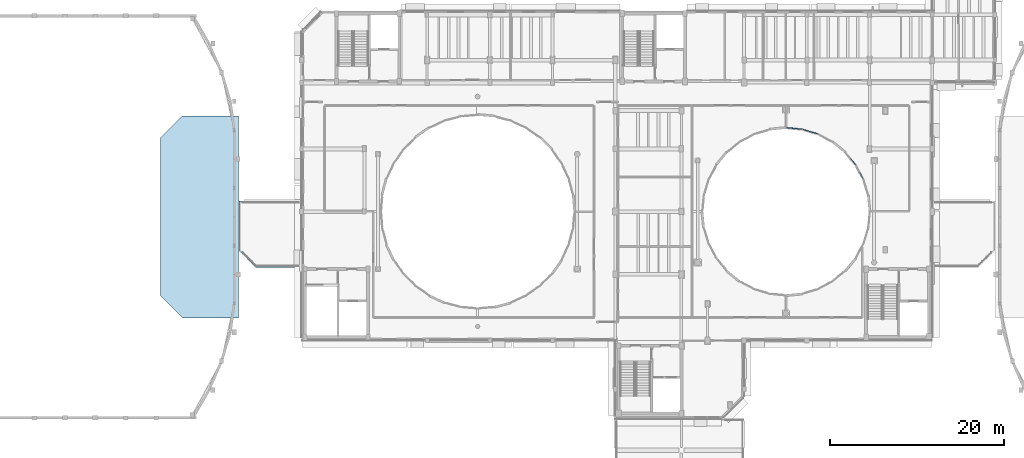
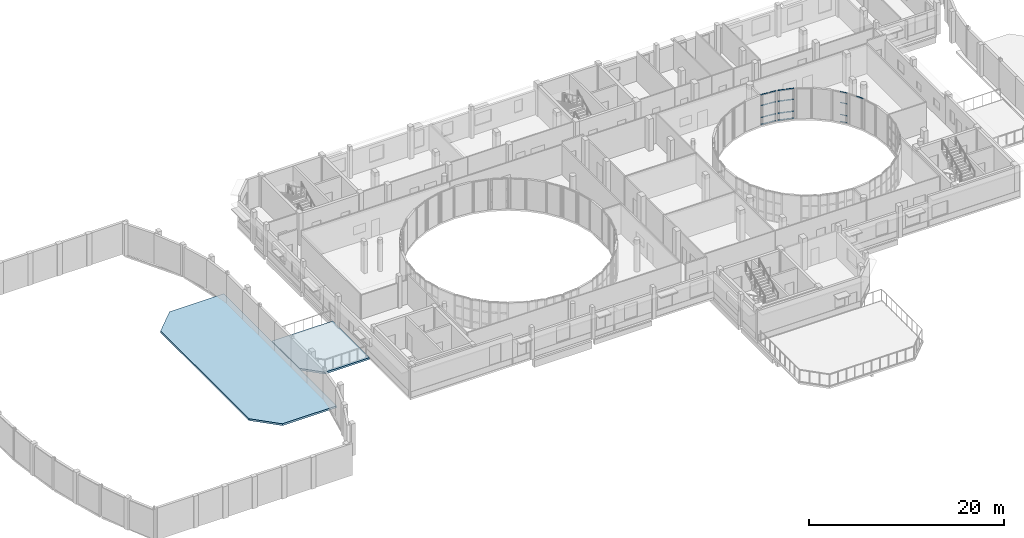
# One storey, part 54 of 89: 21 members, 2 slabs, 4 elements without a shape of their own.
"""IFC4 building model written with IfcOpenShell, lengths in metres."""

from ifc_helpers import new_model, si_unit, direction, frame, origin, origin_2d, place, context, subcontext, project, spatial, polyline, hollow_rectangle, outline, extrude, material, layer, layer_set, material_profile, profile_set, type_object, element, aggregate, save


model = new_model("IFC4")

# Units and contexts
model_context = context("Model", 3, precision=1e-05, world=origin(), true_north=direction((0.0, 1.0)))
body_context = subcontext(model_context, "Body", "Model", "MODEL_VIEW")
ifc_project = project(units=[si_unit("LENGTHUNIT", "METRE"), si_unit("AREAUNIT", "SQUARE_METRE"), si_unit("VOLUMEUNIT", "CUBIC_METRE"), si_unit("PLANEANGLEUNIT", "RADIAN"), si_unit("MASSUNIT", "GRAM", prefix="KILO")], contexts=[model_context])

# Site, building, storey
site_placement = place(None, origin())
site = spatial("IfcSite", under=ifc_project, at=site_placement, CompositionType="ELEMENT")
building_placement = place(site_placement, origin())
building = spatial("IfcBuilding", under=site, at=building_placement, Name="Kelanivale Promenade Academy", CompositionType="ELEMENT")
storey_placement = place(building_placement, frame((0.0, 0.0, 12.199951171875)))
storey = spatial("IfcBuildingStorey", under=building, at=storey_placement, Name="L03", CompositionType="ELEMENT", Elevation=12.199951171875)

# Curtain wall, members
ifc_material_1 = material(Name="Bronze anodised aluminium and solar-control low-E glass", Category="aluminium")
ifc_layer_1 = layer(ifc_material_1, 0.169921875)
ifc_layer_set_1 = layer_set([ifc_layer_1], Name="Bronze anodised aluminium and solar-control low-E glass")
curtain_wall_type_1 = type_object("IfcCurtainWallType", Name="CW-13 Curtain Wall 1350mm Module", PredefinedType="USERDEFINED", material=ifc_layer_set_1)
curtain_wall_1_placement = place(storey_placement, origin())
curtain_wall_1 = element("IfcCurtainWall", 1, at=curtain_wall_1_placement, inside=storey, type_object=curtain_wall_type_1, Name="L03 courtyard curtain wall CW-13", ObjectType="COURTYARD SCREEN GLAZING", PredefinedType="USERDEFINED")
ifc_material_2 = material(Name="Bronze anodised aluminium EN AW-6063 T6", Category="aluminium")
ifc_material_profile_1 = material_profile(ifc_material_2, hollow_rectangle(XDim=0.050048828125, YDim=0.10009765625, WallThickness=0.0029296875, at=origin_2d()), Name="ALU 50x100x3.0")
ifc_profile_set_1 = profile_set([ifc_material_profile_1], Name="Bronze anodised aluminium EN AW-6063 T6")
member_type_1 = type_object("IfcMemberType", Name="CWT-01 ALU 50x100x3.0", PredefinedType="USERDEFINED", material=ifc_profile_set_1)
member_1_placement = place(storey_placement, frame((106.76904296875, 62.21337890625, 0.025146484375), z_axis=(-0.634114614295, 0.773239067778, 0.0), x_axis=(-0.773239067778, -0.634114614295, 0.0)))
member_1 = element("IfcMember", 2, at=member_1_placement, type_object=member_type_1, Name="CW-13 transom 1.1", ObjectType="TRANSOM", PredefinedType="USERDEFINED", context=body_context, shape_type="SweptSolid", body=[
    extrude(hollow_rectangle(XDim=0.050048828125, YDim=0.10009765625, WallThickness=0.0029296875, at=origin_2d()), origin(), (0.0, 0.0, 1.0), 0.83349609375),
])
member_2_placement = place(storey_placement, frame((106.76904296875, 62.21337890625, 0.900146484375), z_axis=(-0.634114614295, 0.773239067778, 0.0), x_axis=(-0.773239067778, -0.634114614295, 0.0)))
member_2 = element("IfcMember", 3, at=member_2_placement, type_object=member_type_1, Name="CW-13 transom 1.2", ObjectType="TRANSOM", PredefinedType="USERDEFINED", context=body_context, shape_type="SweptSolid", body=[
    extrude(hollow_rectangle(XDim=0.050048828125, YDim=0.10009765625, WallThickness=0.0029296875, at=origin_2d()), origin(), (0.0, 0.0, 1.0), 0.83349609375),
])
member_3_placement = place(storey_placement, frame((106.76904296875, 62.21337890625, 2.400146484375), z_axis=(-0.634114614295, 0.773239067778, 0.0), x_axis=(-0.773239067778, -0.634114614295, 0.0)))
member_3 = element("IfcMember", 4, at=member_3_placement, type_object=member_type_1, Name="CW-13 transom 1.3", ObjectType="TRANSOM", PredefinedType="USERDEFINED", context=body_context, shape_type="SweptSolid", body=[
    extrude(hollow_rectangle(XDim=0.050048828125, YDim=0.10009765625, WallThickness=0.0029296875, at=origin_2d()), origin(), (0.0, 0.0, 1.0), 0.83349609375),
])
member_4_placement = place(storey_placement, frame((106.76904296875, 62.21337890625, 3.755126953125), z_axis=(-0.634114614295, 0.773239067778, 0.0), x_axis=(-0.773239067778, -0.634114614295, 0.0)))
member_4 = element("IfcMember", 5, at=member_4_placement, type_object=member_type_1, Name="CW-13 transom 1.4", ObjectType="TRANSOM", PredefinedType="USERDEFINED", context=body_context, shape_type="SweptSolid", body=[
    extrude(hollow_rectangle(XDim=0.050048828125, YDim=0.10009765625, WallThickness=0.0029296875, at=origin_2d()), origin(), (0.0, 0.0, 1.0), 0.83349609375),
])
aggregate(curtain_wall_1, [member_1, member_2, member_3, member_4])

ifc_layer_2 = layer(ifc_material_1, 0.159912109375)
ifc_layer_set_2 = layer_set([ifc_layer_2], Name="Bronze anodised aluminium and solar-control low-E glass")
curtain_wall_type_2 = type_object("IfcCurtainWallType", Name="CW-15 Curtain Wall 1650mm Module", PredefinedType="USERDEFINED", material=ifc_layer_set_2)
curtain_wall_2_placement = place(storey_placement, origin())
curtain_wall_2 = element("IfcCurtainWall", 6, at=curtain_wall_2_placement, inside=storey, type_object=curtain_wall_type_2, Name="L03 courtyard curtain wall CW-15", ObjectType="COURTYARD SCREEN GLAZING", PredefinedType="USERDEFINED")
ifc_material_profile_2 = material_profile(ifc_material_2, hollow_rectangle(XDim=0.050048828125, YDim=0.14990234375, WallThickness=0.00341796875, at=origin_2d()), Name="ALU 50x150x3.5")
ifc_profile_set_2 = profile_set([ifc_material_profile_2], Name="Bronze anodised aluminium EN AW-6063 T6")
member_type_2 = type_object("IfcMemberType", Name="CWT-03 ALU 50x150x3.5", PredefinedType="USERDEFINED", material=ifc_profile_set_2)
member_5_placement = place(storey_placement, frame((102.413818359375, 65.729736328125, 0.025146484375), z_axis=(-0.956943070855, 0.290275660611, 0.0), x_axis=(-0.290275660611, -0.956943070855, 0.0)))
member_5 = element("IfcMember", 7, at=member_5_placement, type_object=member_type_2, Name="CW-15 transom 1.1", ObjectType="TRANSOM", PredefinedType="USERDEFINED", context=body_context, shape_type="SweptSolid", body=[
    extrude(hollow_rectangle(XDim=0.050048828125, YDim=0.14990234375, WallThickness=0.00341796875, at=origin_2d()), origin(), (0.0, 0.0, 1.0), 0.83349609375),
])
member_6_placement = place(storey_placement, frame((102.413818359375, 65.729736328125, 0.900146484375), z_axis=(-0.956943070855, 0.290275660611, 0.0), x_axis=(-0.290275660611, -0.956943070855, 0.0)))
member_6 = element("IfcMember", 8, at=member_6_placement, type_object=member_type_2, Name="CW-15 transom 1.2", ObjectType="TRANSOM", PredefinedType="USERDEFINED", context=body_context, shape_type="SweptSolid", body=[
    extrude(hollow_rectangle(XDim=0.050048828125, YDim=0.14990234375, WallThickness=0.00341796875, at=origin_2d()), origin(), (0.0, 0.0, 1.0), 0.83349609375),
])
member_7_placement = place(storey_placement, frame((102.413818359375, 65.729736328125, 2.400146484375), z_axis=(-0.956943070855, 0.290275660611, 0.0), x_axis=(-0.290275660611, -0.956943070855, 0.0)))
member_7 = element("IfcMember", 9, at=member_7_placement, type_object=member_type_2, Name="CW-15 transom 1.3", ObjectType="TRANSOM", PredefinedType="USERDEFINED", context=body_context, shape_type="SweptSolid", body=[
    extrude(hollow_rectangle(XDim=0.050048828125, YDim=0.14990234375, WallThickness=0.00341796875, at=origin_2d()), origin(), (0.0, 0.0, 1.0), 0.83349609375),
])
member_8_placement = place(storey_placement, frame((102.413818359375, 65.729736328125, 3.755126953125), z_axis=(-0.956943070855, 0.290275660611, 0.0), x_axis=(-0.290275660611, -0.956943070855, 0.0)))
member_8 = element("IfcMember", 10, at=member_8_placement, type_object=member_type_2, Name="CW-15 transom 1.4", ObjectType="TRANSOM", PredefinedType="USERDEFINED", context=body_context, shape_type="SweptSolid", body=[
    extrude(hollow_rectangle(XDim=0.050048828125, YDim=0.14990234375, WallThickness=0.00341796875, at=origin_2d()), origin(), (0.0, 0.0, 1.0), 0.83349609375),
])
member_9_placement = place(storey_placement, frame((101.553955078125, 65.990478515625, 0.025146484375), z_axis=(-0.957049031315, 0.289926114138, 0.0), x_axis=(-0.289926114138, -0.957049031315, 0.0)))
member_9 = element("IfcMember", 11, at=member_9_placement, type_object=member_type_2, Name="CW-15 transom 2.1", ObjectType="TRANSOM", PredefinedType="USERDEFINED", context=body_context, shape_type="SweptSolid", body=[
    extrude(hollow_rectangle(XDim=0.050048828125, YDim=0.14990234375, WallThickness=0.00341796875, at=origin_2d()), origin(), (0.0, 0.0, 1.0), 0.833740234375),
])
member_10_placement = place(storey_placement, frame((101.553955078125, 65.990478515625, 0.900146484375), z_axis=(-0.957049031315, 0.289926114138, 0.0), x_axis=(-0.289926114138, -0.957049031315, 0.0)))
member_10 = element("IfcMember", 12, at=member_10_placement, type_object=member_type_2, Name="CW-15 transom 2.2", ObjectType="TRANSOM", PredefinedType="USERDEFINED", context=body_context, shape_type="SweptSolid", body=[
    extrude(hollow_rectangle(XDim=0.050048828125, YDim=0.14990234375, WallThickness=0.00341796875, at=origin_2d()), origin(), (0.0, 0.0, 1.0), 0.833740234375),
])
member_11_placement = place(storey_placement, frame((101.553955078125, 65.990478515625, 2.400146484375), z_axis=(-0.957049031315, 0.289926114138, 0.0), x_axis=(-0.289926114138, -0.957049031315, 0.0)))
member_11 = element("IfcMember", 13, at=member_11_placement, type_object=member_type_2, Name="CW-15 transom 2.3", ObjectType="TRANSOM", PredefinedType="USERDEFINED", context=body_context, shape_type="SweptSolid", body=[
    extrude(hollow_rectangle(XDim=0.050048828125, YDim=0.14990234375, WallThickness=0.00341796875, at=origin_2d()), origin(), (0.0, 0.0, 1.0), 0.833740234375),
])
member_12_placement = place(storey_placement, frame((101.553955078125, 65.990478515625, 3.755126953125), z_axis=(-0.957049031315, 0.289926114138, 0.0), x_axis=(-0.289926114138, -0.957049031315, 0.0)))
member_12 = element("IfcMember", 14, at=member_12_placement, type_object=member_type_2, Name="CW-15 transom 2.4", ObjectType="TRANSOM", PredefinedType="USERDEFINED", context=body_context, shape_type="SweptSolid", body=[
    extrude(hollow_rectangle(XDim=0.050048828125, YDim=0.14990234375, WallThickness=0.00341796875, at=origin_2d()), origin(), (0.0, 0.0, 1.0), 0.833740234375),
])
aggregate(curtain_wall_2, [member_5, member_6, member_7, member_8, member_9, member_10, member_11, member_12])

# Curtain wall, member
ifc_layer_3 = layer(ifc_material_1, 0.159912109375)
ifc_layer_set_3 = layer_set([ifc_layer_3], Name="Bronze anodised aluminium and solar-control low-E glass")
curtain_wall_type_3 = type_object("IfcCurtainWallType", Name="CW-12 Curtain Wall 1200mm Module", PredefinedType="USERDEFINED", material=ifc_layer_set_3)
curtain_wall_3_placement = place(storey_placement, origin())
curtain_wall_3 = element("IfcCurtainWall", 15, at=curtain_wall_3_placement, inside=storey, type_object=curtain_wall_type_3, Name="L03 courtyard curtain wall CW-12", ObjectType="UNITISED GLAZING", PredefinedType="USERDEFINED")
ifc_material_profile_3 = material_profile(ifc_material_2, hollow_rectangle(XDim=0.06005859375, YDim=0.139892578125, WallThickness=0.00341796875, at=origin_2d()), Name="ALU 60x140x3.5")
ifc_profile_set_3 = profile_set([ifc_material_profile_3], Name="Bronze anodised aluminium EN AW-6063 T6")
member_type_3 = type_object("IfcMemberType", Name="CWT-04 ALU 60x140x3.5", PredefinedType="USERDEFINED", material=ifc_profile_set_3)
member_13_placement = place(storey_placement, frame((107.66943359375, 60.558349609375, 3.75), z_axis=(-0.471286980873, 0.881979921347, 0.0), x_axis=(-0.881979921347, -0.471286980873, 0.0)))
member_13 = element("IfcMember", 16, at=member_13_placement, type_object=member_type_3, Name="CW-12 transom 1.4", ObjectType="TRANSOM", PredefinedType="USERDEFINED", context=body_context, shape_type="SweptSolid", body=[
    extrude(hollow_rectangle(XDim=0.06005859375, YDim=0.139892578125, WallThickness=0.00341796875, at=origin_2d()), origin(), (0.0, 0.0, 1.0), 0.833984375),
])
aggregate(curtain_wall_3, [member_13])

# Curtain wall, members
ifc_layer_4 = layer(ifc_material_1, 0.169921875)
ifc_layer_set_4 = layer_set([ifc_layer_4], Name="Bronze anodised aluminium and solar-control low-E glass")
curtain_wall_type_4 = type_object("IfcCurtainWallType", Name="CW-16 Curtain Wall 1800mm Module", PredefinedType="USERDEFINED", material=ifc_layer_set_4)
curtain_wall_4_placement = place(storey_placement, origin())
curtain_wall_4 = element("IfcCurtainWall", 17, at=curtain_wall_4_placement, inside=storey, type_object=curtain_wall_type_4, Name="L03 courtyard curtain wall CW-16", ObjectType="COURTYARD SCREEN GLAZING", PredefinedType="USERDEFINED")
member_14_placement = place(storey_placement, frame((100.602294921875, 66.262451171875, 0.030029296875), z_axis=(-0.995144874966, 0.0984209217, 0.0), x_axis=(-0.0984209217, -0.995144874966, 0.0)))
member_14 = element("IfcMember", 18, at=member_14_placement, type_object=member_type_3, Name="CW-16 transom 1.1", ObjectType="TRANSOM", PredefinedType="USERDEFINED", context=body_context, shape_type="SweptSolid", body=[
    extrude(hollow_rectangle(XDim=0.06005859375, YDim=0.139892578125, WallThickness=0.00341796875, at=origin_2d()), origin(), (0.0, 0.0, 1.0), 0.825927734375),
])
member_15_placement = place(storey_placement, frame((100.602294921875, 66.262451171875, 0.900146484375), z_axis=(-0.995144874966, 0.0984209217, 0.0), x_axis=(-0.0984209217, -0.995144874966, 0.0)))
member_15 = element("IfcMember", 19, at=member_15_placement, type_object=member_type_3, Name="CW-16 transom 1.2", ObjectType="TRANSOM", PredefinedType="USERDEFINED", context=body_context, shape_type="SweptSolid", body=[
    extrude(hollow_rectangle(XDim=0.06005859375, YDim=0.139892578125, WallThickness=0.00341796875, at=origin_2d()), origin(), (0.0, 0.0, 1.0), 0.825927734375),
])
member_16_placement = place(storey_placement, frame((100.602294921875, 66.262451171875, 2.400146484375), z_axis=(-0.995144874966, 0.0984209217, 0.0), x_axis=(-0.0984209217, -0.995144874966, 0.0)))
member_16 = element("IfcMember", 20, at=member_16_placement, type_object=member_type_3, Name="CW-16 transom 1.3", ObjectType="TRANSOM", PredefinedType="USERDEFINED", context=body_context, shape_type="SweptSolid", body=[
    extrude(hollow_rectangle(XDim=0.06005859375, YDim=0.139892578125, WallThickness=0.00341796875, at=origin_2d()), origin(), (0.0, 0.0, 1.0), 0.825927734375),
])
member_17_placement = place(storey_placement, frame((100.602294921875, 66.262451171875, 3.75), z_axis=(-0.995144874966, 0.0984209217, 0.0), x_axis=(-0.0984209217, -0.995144874966, 0.0)))
member_17 = element("IfcMember", 21, at=member_17_placement, type_object=member_type_3, Name="CW-16 transom 1.4", ObjectType="TRANSOM", PredefinedType="USERDEFINED", context=body_context, shape_type="SweptSolid", body=[
    extrude(hollow_rectangle(XDim=0.06005859375, YDim=0.139892578125, WallThickness=0.00341796875, at=origin_2d()), origin(), (0.0, 0.0, 1.0), 0.825927734375),
])
member_18_placement = place(storey_placement, frame((99.715576171875, 66.35009765625, 0.030029296875), z_axis=(-0.995113003658, 0.098742645045, 0.0), x_axis=(-0.098742645045, -0.995113003658, 0.0)))
member_18 = element("IfcMember", 22, at=member_18_placement, type_object=member_type_3, Name="CW-16 transom 2.1", ObjectType="TRANSOM", PredefinedType="USERDEFINED", context=body_context, shape_type="SweptSolid", body=[
    extrude(hollow_rectangle(XDim=0.06005859375, YDim=0.139892578125, WallThickness=0.00341796875, at=origin_2d()), origin(), (0.0, 0.0, 1.0), 0.825927734375),
])
member_19_placement = place(storey_placement, frame((99.715576171875, 66.35009765625, 0.900146484375), z_axis=(-0.995113003658, 0.098742645045, 0.0), x_axis=(-0.098742645045, -0.995113003658, 0.0)))
member_19 = element("IfcMember", 23, at=member_19_placement, type_object=member_type_3, Name="CW-16 transom 2.2", ObjectType="TRANSOM", PredefinedType="USERDEFINED", context=body_context, shape_type="SweptSolid", body=[
    extrude(hollow_rectangle(XDim=0.06005859375, YDim=0.139892578125, WallThickness=0.00341796875, at=origin_2d()), origin(), (0.0, 0.0, 1.0), 0.825927734375),
])
member_20_placement = place(storey_placement, frame((99.715576171875, 66.35009765625, 2.400146484375), z_axis=(-0.995113003658, 0.098742645045, 0.0), x_axis=(-0.098742645045, -0.995113003658, 0.0)))
member_20 = element("IfcMember", 24, at=member_20_placement, type_object=member_type_3, Name="CW-16 transom 2.3", ObjectType="TRANSOM", PredefinedType="USERDEFINED", context=body_context, shape_type="SweptSolid", body=[
    extrude(hollow_rectangle(XDim=0.06005859375, YDim=0.139892578125, WallThickness=0.00341796875, at=origin_2d()), origin(), (0.0, 0.0, 1.0), 0.825927734375),
])
member_21_placement = place(storey_placement, frame((99.715576171875, 66.35009765625, 3.75), z_axis=(-0.995113003658, 0.098742645045, 0.0), x_axis=(-0.098742645045, -0.995113003658, 0.0)))
member_21 = element("IfcMember", 25, at=member_21_placement, type_object=member_type_3, Name="CW-16 transom 2.4", ObjectType="TRANSOM", PredefinedType="USERDEFINED", context=body_context, shape_type="SweptSolid", body=[
    extrude(hollow_rectangle(XDim=0.06005859375, YDim=0.139892578125, WallThickness=0.00341796875, at=origin_2d()), origin(), (0.0, 0.0, 1.0), 0.825927734375),
])
aggregate(curtain_wall_4, [member_14, member_15, member_16, member_17, member_18, member_19, member_20, member_21])

# Slabs
ifc_material_3 = material(Name="Concrete C35/45", Category="concrete")
ifc_layer_5 = layer(ifc_material_3, 0.235107421875)
ifc_layer_set_5 = layer_set([ifc_layer_5], Name="Concrete C35/45")
slab_type_1 = type_object("IfcSlabType", Name="PD-01 Slab 235mm", PredefinedType="FLOOR", material=ifc_layer_set_5)
slab_1_placement = place(storey_placement, frame((0.0, 0.0, -0.23486328125)))
element("IfcSlab", 26, at=slab_1_placement, inside=storey, type_object=slab_type_1, Name="Sports Hall Shoulder Observation Deck", PredefinedType="FLOOR", context=body_context, shape_type="SweptSolid", body=[
    extrude(outline(polyline([(37.928955078125, 50.39990234375), (43.199951171875, 50.39990234375), (43.199951171875, 58.0), (36.0, 58.0), (36.0, 52.3291015625), (37.928955078125, 50.39990234375)])), origin(), (0.0, 0.0, 1.0), 0.23486328125),
])
ifc_layer_6 = layer(ifc_material_3, 0.239990234375)
ifc_layer_set_6 = layer_set([ifc_layer_6], Name="Concrete C35/45")
slab_type_2 = type_object("IfcSlabType", Name="RS-01 Slab 240mm", PredefinedType="ROOF", material=ifc_layer_set_6)
slab_2_placement = place(storey_placement, frame((0.0, 0.0, -0.239990234375)))
element("IfcSlab", 27, at=slab_2_placement, inside=storey, type_object=slab_type_2, Name="L03 planted roof slab RF-L03-GAL1", PredefinedType="ROOF", context=body_context, shape_type="SweptSolid", body=[
    extrude(outline(polyline([(29.506103515625, 44.60009765625), (35.949951171875, 44.60009765625), (35.949951171875, 67.800048828125), (29.506103515625, 67.800048828125), (27.0, 65.2939453125), (27.0, 47.10595703125), (29.506103515625, 44.60009765625)])), origin(), (0.0, 0.0, 1.0), 0.239990234375),
])

save(model, "model.ifc")
